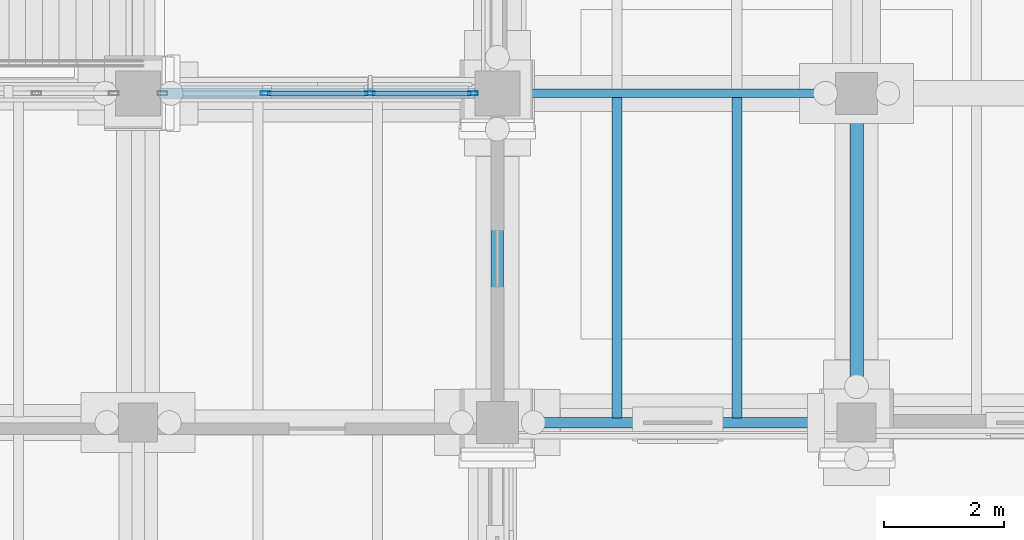
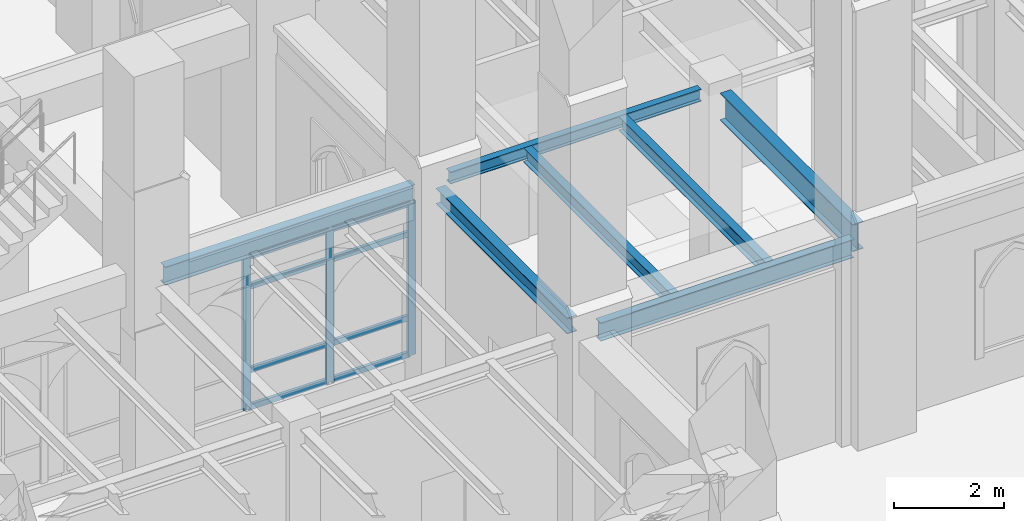
# One storey, part 44 of 135: 11 members, 7 beams, 1 element without a shape of its own.
"""IFC4 building model written with IfcOpenShell, lengths in metres."""

from ifc_helpers import new_model, si_unit, direction, frame, origin, origin_2d, place, context, subcontext, project, spatial, hollow_rectangle, i_section, extrude, material, layer, layer_set, material_profile, profile_set, type_object, element, aggregate, save


model = new_model("IFC4")

# Units and contexts
model_context = context("Model", 3, precision=1e-05, world=origin(), true_north=direction((0.0, 1.0)))
body_context = subcontext(model_context, "Body", "Model", "MODEL_VIEW")
ifc_project = project(units=[si_unit("LENGTHUNIT", "METRE"), si_unit("AREAUNIT", "SQUARE_METRE"), si_unit("VOLUMEUNIT", "CUBIC_METRE"), si_unit("PLANEANGLEUNIT", "RADIAN"), si_unit("MASSUNIT", "GRAM", prefix="KILO")], contexts=[model_context])

# Site, building, storey
site_placement = place(None, origin())
site = spatial("IfcSite", under=ifc_project, at=site_placement, CompositionType="ELEMENT")
building_placement = place(site_placement, origin())
building = spatial("IfcBuilding", under=site, at=building_placement, Name="Cumevento Cable Car Station", CompositionType="ELEMENT")
storey_placement = place(building_placement, origin())
storey = spatial("IfcBuildingStorey", under=building, at=storey_placement, Name="L01", CompositionType="ELEMENT", Elevation=0.0)

# Curtain wall, members
ifc_material_1 = material(Name="Anodised Bronze Aluminium AW-6063-T6", Category="aluminium")
ifc_layer = layer(ifc_material_1, 0.238037109375)
ifc_layer_set = layer_set([ifc_layer], Name="Anodised Bronze Aluminium AW-6063-T6")
curtain_wall_type = type_object("IfcCurtainWallType", Name="Lancet Curtain Wall CW-14 1570", PredefinedType="NOTDEFINED", material=ifc_layer_set)
curtain_wall_placement = place(storey_placement, origin())
curtain_wall = element("IfcCurtainWall", 1, at=curtain_wall_placement, inside=storey, type_object=curtain_wall_type, Name="Lancet Curtain Wall CW-14 L01 #13", PredefinedType="NOTDEFINED")
ifc_material_2 = material(Name="Anodised Bronze Aluminium AW-6063-T6", Category="aluminium")
ifc_material_profile_1 = material_profile(ifc_material_2, hollow_rectangle(XDim=0.06494140625, YDim=0.159912109375, WallThickness=0.00390625, at=origin_2d()), Name="ALUM65x160x4")
ifc_profile_set_1 = profile_set([ifc_material_profile_1], Name="Anodised Bronze Aluminium AW-6063-T6")
member_type_1 = type_object("IfcMemberType", Name="Curtain Mullion CWM-01 ALUM65x160x4", PredefinedType="MULLION", material=ifc_profile_set_1)
member_1_placement = place(storey_placement, frame((114.125, 15.0, 0.409912109375), z_axis=(0.0, 0.0, 1.0), x_axis=(0.0, 1.0, 0.0)))
member_1 = element("IfcMember", 2, at=member_1_placement, type_object=member_type_1, Name="CW-14 mullion 2", PredefinedType="MULLION", context=body_context, shape_type="SweptSolid", body=[
    extrude(hollow_rectangle(XDim=0.06494140625, YDim=0.159912109375, WallThickness=0.00390625, at=origin_2d()), origin(), (0.0, 0.0, 1.0), 3.4111328125),
])
member_2_placement = place(storey_placement, frame((115.875, 15.0, 0.409912109375), z_axis=(0.0, 0.0, 1.0), x_axis=(0.0, 1.0, 0.0)))
member_2 = element("IfcMember", 3, at=member_2_placement, type_object=member_type_1, Name="CW-14 mullion 3", PredefinedType="MULLION", context=body_context, shape_type="SweptSolid", body=[
    extrude(hollow_rectangle(XDim=0.06494140625, YDim=0.159912109375, WallThickness=0.00390625, at=origin_2d()), origin(), (0.0, 0.0, 1.0), 3.4111328125),
])
member_3_placement = place(storey_placement, frame((117.592529296875, 15.0, 0.409912109375), z_axis=(0.0, 0.0, 1.0), x_axis=(0.0, 1.0, 0.0)))
member_3 = element("IfcMember", 4, at=member_3_placement, type_object=member_type_1, Name="CW-14 mullion 4", PredefinedType="MULLION", context=body_context, shape_type="SweptSolid", body=[
    extrude(hollow_rectangle(XDim=0.06494140625, YDim=0.159912109375, WallThickness=0.00390625, at=origin_2d()), origin(), (0.0, 0.0, 1.0), 3.4111328125),
])
ifc_material_3 = material(Name="Anodised Bronze Aluminium AW-6063-T6", Category="aluminium")
ifc_material_profile_2 = material_profile(ifc_material_3, hollow_rectangle(XDim=0.06494140625, YDim=0.1201171875, WallThickness=0.00390625, at=origin_2d()), Name="ALUT65x120x4")
ifc_profile_set_2 = profile_set([ifc_material_profile_2], Name="Anodised Bronze Aluminium AW-6063-T6")
member_type_2 = type_object("IfcMemberType", Name="Curtain Transom CWT-01 ALUT65x120x4", PredefinedType="USERDEFINED", material=ifc_profile_set_2)
member_4_placement = place(storey_placement, frame((114.157470703125, 15.0, 0.4423828125), z_axis=(1.0, 0.0, 0.0), x_axis=(0.0, 1.0, 0.0)))
member_4 = element("IfcMember", 5, at=member_4_placement, type_object=member_type_2, Name="CW-14 transom 2.1", ObjectType="TRANSOM", PredefinedType="USERDEFINED", context=body_context, shape_type="SweptSolid", body=[
    extrude(hollow_rectangle(XDim=0.06494140625, YDim=0.1201171875, WallThickness=0.00390625, at=origin_2d()), origin(), (0.0, 0.0, 1.0), 1.68505859375),
])
member_5_placement = place(storey_placement, frame((114.157470703125, 15.0, 1.260009765625), z_axis=(1.0, 0.0, 0.0), x_axis=(0.0, 1.0, 0.0)))
member_5 = element("IfcMember", 6, at=member_5_placement, type_object=member_type_2, Name="CW-14 transom 2.2", ObjectType="TRANSOM", PredefinedType="USERDEFINED", context=body_context, shape_type="SweptSolid", body=[
    extrude(hollow_rectangle(XDim=0.06494140625, YDim=0.1201171875, WallThickness=0.00390625, at=origin_2d()), origin(), (0.0, 0.0, 1.0), 1.68505859375),
])
member_6_placement = place(storey_placement, frame((114.157470703125, 15.0, 3.12109375), z_axis=(1.0, 0.0, 0.0), x_axis=(0.0, 1.0, 0.0)))
member_6 = element("IfcMember", 7, at=member_6_placement, type_object=member_type_2, Name="CW-14 transom 2.3", ObjectType="TRANSOM", PredefinedType="USERDEFINED", context=body_context, shape_type="SweptSolid", body=[
    extrude(hollow_rectangle(XDim=0.06494140625, YDim=0.1201171875, WallThickness=0.00390625, at=origin_2d()), origin(), (0.0, 0.0, 1.0), 1.68505859375),
])
member_7_placement = place(storey_placement, frame((114.157470703125, 15.0, 3.78857421875), z_axis=(1.0, 0.0, 0.0), x_axis=(0.0, 1.0, 0.0)))
member_7 = element("IfcMember", 8, at=member_7_placement, type_object=member_type_2, Name="CW-14 transom 2.4", ObjectType="TRANSOM", PredefinedType="USERDEFINED", context=body_context, shape_type="SweptSolid", body=[
    extrude(hollow_rectangle(XDim=0.06494140625, YDim=0.1201171875, WallThickness=0.00390625, at=origin_2d()), origin(), (0.0, 0.0, 1.0), 1.68505859375),
])
member_8_placement = place(storey_placement, frame((115.907470703125, 15.0, 0.4423828125), z_axis=(1.0, 0.0, 0.0), x_axis=(0.0, 1.0, 0.0)))
member_8 = element("IfcMember", 9, at=member_8_placement, type_object=member_type_2, Name="CW-14 transom 3.1", ObjectType="TRANSOM", PredefinedType="USERDEFINED", context=body_context, shape_type="SweptSolid", body=[
    extrude(hollow_rectangle(XDim=0.06494140625, YDim=0.1201171875, WallThickness=0.00390625, at=origin_2d()), origin(), (0.0, 0.0, 1.0), 1.652587890625),
])
member_9_placement = place(storey_placement, frame((115.907470703125, 15.0, 1.260009765625), z_axis=(1.0, 0.0, 0.0), x_axis=(0.0, 1.0, 0.0)))
member_9 = element("IfcMember", 10, at=member_9_placement, type_object=member_type_2, Name="CW-14 transom 3.2", ObjectType="TRANSOM", PredefinedType="USERDEFINED", context=body_context, shape_type="SweptSolid", body=[
    extrude(hollow_rectangle(XDim=0.06494140625, YDim=0.1201171875, WallThickness=0.00390625, at=origin_2d()), origin(), (0.0, 0.0, 1.0), 1.652587890625),
])
member_10_placement = place(storey_placement, frame((115.907470703125, 15.0, 3.12109375), z_axis=(1.0, 0.0, 0.0), x_axis=(0.0, 1.0, 0.0)))
member_10 = element("IfcMember", 11, at=member_10_placement, type_object=member_type_2, Name="CW-14 transom 3.3", ObjectType="TRANSOM", PredefinedType="USERDEFINED", context=body_context, shape_type="SweptSolid", body=[
    extrude(hollow_rectangle(XDim=0.06494140625, YDim=0.1201171875, WallThickness=0.00390625, at=origin_2d()), origin(), (0.0, 0.0, 1.0), 1.652587890625),
])
member_11_placement = place(storey_placement, frame((115.907470703125, 15.0, 3.78857421875), z_axis=(1.0, 0.0, 0.0), x_axis=(0.0, 1.0, 0.0)))
member_11 = element("IfcMember", 12, at=member_11_placement, type_object=member_type_2, Name="CW-14 transom 3.4", ObjectType="TRANSOM", PredefinedType="USERDEFINED", context=body_context, shape_type="SweptSolid", body=[
    extrude(hollow_rectangle(XDim=0.06494140625, YDim=0.1201171875, WallThickness=0.00390625, at=origin_2d()), origin(), (0.0, 0.0, 1.0), 1.652587890625),
])
aggregate(curtain_wall, [member_1, member_2, member_3, member_4, member_5, member_6, member_7, member_8, member_9, member_10, member_11])

# Beams
ifc_material_4 = material(Name="Steel ASTM A572 Grade 50", Category="steel")
ifc_material_profile_3 = material_profile(ifc_material_4, i_section(OverallWidth=0.22802734375, OverallDepth=0.60791015625, WebThickness=0.01123046875, FlangeThickness=0.017333984375, at=origin_2d()), Name="W610x113.0")
ifc_profile_set_3 = profile_set([ifc_material_profile_3], Name="Steel ASTM A572 Grade 50")
beam_type_1 = type_object("IfcBeamType", Name="Structural Beam BM-02 W610x113.0", PredefinedType="BEAM", material=ifc_profile_set_3)
beam_1_placement = place(storey_placement, frame((124.0, 9.824951171875, 3.924072265625), z_axis=(0.0, 1.0, 0.0), x_axis=(-1.0, 0.0, 0.0)))
element("IfcBeam", 13, at=beam_1_placement, inside=storey, type_object=beam_type_1, Name="Beam BM-02 L01 #235", PredefinedType="BEAM", context=body_context, shape_type="SweptSolid", body=[
    extrude(i_section(OverallWidth=0.22802734375, OverallDepth=0.60791015625, WebThickness=0.01123046875, FlangeThickness=0.017333984375, at=origin_2d()), origin(), (0.0, 0.0, 1.0), 4.824951171875),
])
ifc_material_5 = material(Name="Steel ASTM A572 Grade 50", Category="steel")
ifc_material_profile_4 = material_profile(ifc_material_5, i_section(OverallWidth=0.205078125, OverallDepth=0.35400390625, WebThickness=0.009521484375, FlangeThickness=0.016845703125, at=origin_2d()), Name="W360x79.0")
ifc_profile_set_4 = profile_set([ifc_material_profile_4], Name="Steel ASTM A572 Grade 50")
beam_type_2 = type_object("IfcBeamType", Name="Structural Beam BM-05 W360x79.0", PredefinedType="BEAM", material=ifc_profile_set_4)
beam_2_placement = place(storey_placement, frame((118.0, 9.85009765625, 4.051025390625), z_axis=(0.0, 1.0, 0.0), x_axis=(-1.0, 0.0, 0.0)))
element("IfcBeam", 14, at=beam_2_placement, inside=storey, type_object=beam_type_2, Name="Beam BM-05 L01 #51", PredefinedType="BEAM", context=body_context, shape_type="SweptSolid", body=[
    extrude(i_section(OverallWidth=0.205078125, OverallDepth=0.35400390625, WebThickness=0.009521484375, FlangeThickness=0.016845703125, at=origin_2d()), origin(), (0.0, 0.0, 1.0), 4.77490234375),
])
ifc_material_6 = material(Name="Steel ASTM A572 Grade 50", Category="steel")
ifc_material_profile_5 = material_profile(ifc_material_6, i_section(OverallWidth=0.14794921875, OverallDepth=0.26611328125, WebThickness=0.007568359375, FlangeThickness=0.012939453125, at=origin_2d()), Name="W250x44.8")
ifc_profile_set_5 = profile_set([ifc_material_profile_5], Name="Steel ASTM A572 Grade 50")
beam_type_3 = type_object("IfcBeamType", Name="Structural Beam BM-07 W250x44.8", PredefinedType="BEAM", material=ifc_profile_set_5)
beam_3_placement = place(storey_placement, frame((118.375, 15.0, 4.094970703125), z_axis=(1.0, 0.0, 0.0), x_axis=(0.0, 1.0, 0.0)))
element("IfcBeam", 15, at=beam_3_placement, inside=storey, type_object=beam_type_3, Name="Beam BM-07 L01 #228", PredefinedType="BEAM", context=body_context, shape_type="SweptSolid", body=[
    extrude(i_section(OverallWidth=0.14794921875, OverallDepth=0.26611328125, WebThickness=0.007568359375, FlangeThickness=0.012939453125, at=origin_2d()), origin(), (0.0, 0.0, 1.0), 5.27490234375),
])
ifc_material_7 = material(Name="Steel ASTM A572 Grade 50", Category="steel")
ifc_material_profile_6 = material_profile(ifc_material_7, i_section(OverallWidth=0.1669921875, OverallDepth=0.31689453125, WebThickness=0.007568359375, FlangeThickness=0.01318359375, at=origin_2d()), Name="W310x52.0")
ifc_profile_set_6 = profile_set([ifc_material_profile_6], Name="Steel ASTM A572 Grade 50")
beam_type_4 = type_object("IfcBeamType", Name="Structural Joist JS-02 W310x52.0", PredefinedType="JOIST", material=ifc_profile_set_6)
for number, where, z_axis, x_axis, name in (
    (16, (120.0, 9.576904296875, 4.069580078125), (0.0, 1.0, 0.0), (-1.0, 0.0, 0.0), "Composite Floor Joist JS-02 L01 #401"),
    (17, (122.0, 9.576904296875, 4.069580078125), (0.0, 1.0, 0.0), (-1.0, 0.0, 0.0), "Composite Floor Joist JS-02 L01 #403"),
):
    element("IfcBeam", number, at=place(storey_placement, frame(where, z_axis=z_axis, x_axis=x_axis)), inside=storey, type_object=beam_type_4, Name=name, PredefinedType="JOIST", context=body_context, shape_type="SweptSolid", body=[
        extrude(i_section(OverallWidth=0.1669921875, OverallDepth=0.31689453125, WebThickness=0.007568359375, FlangeThickness=0.01318359375, at=origin_2d()), origin(), (0.0, 0.0, 1.0), 5.361083984375),
    ])
ifc_material_8 = material(Name="Steel ASTM A572 Grade 50", Category="steel")
ifc_material_profile_7 = material_profile(ifc_material_8, i_section(OverallWidth=0.177978515625, OverallDepth=0.406982421875, WebThickness=0.0078125, FlangeThickness=0.0126953125, at=origin_2d()), Name="W410x60.0")
ifc_profile_set_7 = profile_set([ifc_material_profile_7], Name="Steel ASTM A572 Grade 50")
beam_type_5 = type_object("IfcBeamType", Name="Structural Spandrel SP-01 W410x60.0", PredefinedType="SPANDREL", material=ifc_profile_set_7)
beam_4_placement = place(storey_placement, frame((112.375, 15.0, 4.0244140625), z_axis=(1.0, 0.0, 0.0), x_axis=(0.0, 1.0, 0.0)))
element("IfcBeam", 18, at=beam_4_placement, inside=storey, type_object=beam_type_5, Name="Beam SP-01 L01 #45", PredefinedType="SPANDREL", context=body_context, shape_type="SweptSolid", body=[
    extrude(i_section(OverallWidth=0.177978515625, OverallDepth=0.406982421875, WebThickness=0.0078125, FlangeThickness=0.0126953125, at=origin_2d()), origin(), (0.0, 0.0, 1.0), 5.25),
])
beam_5_placement = place(storey_placement, frame((118.35009765625, 9.5, 4.0244140625), z_axis=(1.0, 0.0, 0.0), x_axis=(0.0, 1.0, 0.0)))
element("IfcBeam", 19, at=beam_5_placement, inside=storey, type_object=beam_type_5, Name="Beam SP-01 L01 #225", PredefinedType="SPANDREL", context=body_context, shape_type="SweptSolid", body=[
    extrude(i_section(OverallWidth=0.177978515625, OverallDepth=0.406982421875, WebThickness=0.0078125, FlangeThickness=0.0126953125, at=origin_2d()), origin(), (0.0, 0.0, 1.0), 5.324951171875),
])

save(model, "model.ifc")
